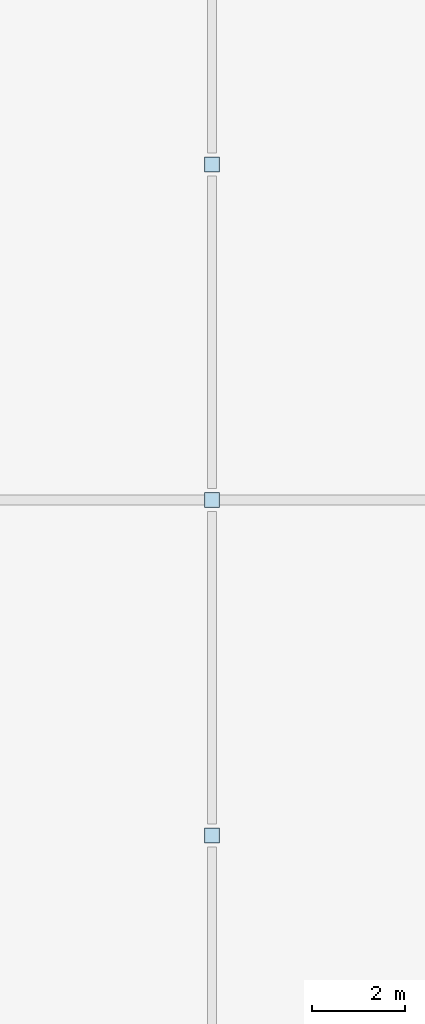
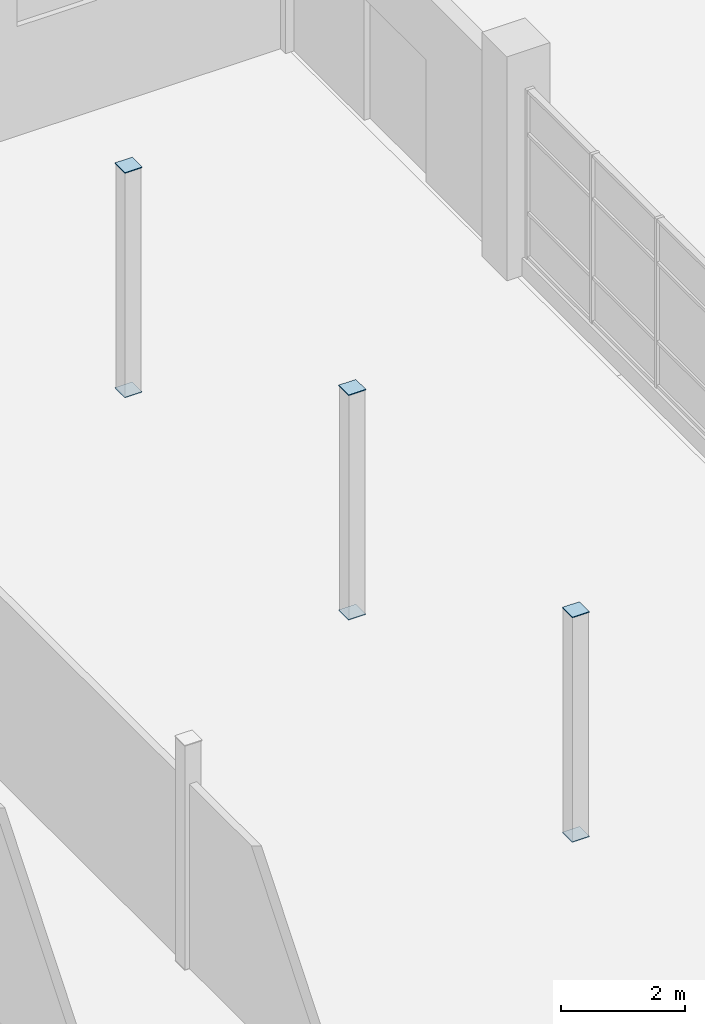
# One storey, part 39 of 71: 6 plates.
"""IFC4 building model written with IfcOpenShell, lengths in metres."""

from ifc_helpers import new_model, si_unit, direction, frame, origin, origin_2d, place, context, subcontext, project, spatial, rectangle, extrude, material, layer, layer_set, type_object, element, save


model = new_model("IFC4")

# Units and contexts
model_context = context("Model", 3, precision=1e-05, world=origin(), true_north=direction((0.0, 1.0)))
body_context = subcontext(model_context, "Body", "Model", "MODEL_VIEW")
ifc_project = project(units=[si_unit("LENGTHUNIT", "METRE"), si_unit("AREAUNIT", "SQUARE_METRE"), si_unit("VOLUMEUNIT", "CUBIC_METRE"), si_unit("PLANEANGLEUNIT", "RADIAN"), si_unit("MASSUNIT", "GRAM", prefix="KILO")], contexts=[model_context])

# Site, building, storey
site_placement = place(None, origin())
site = spatial("IfcSite", under=ifc_project, at=site_placement, CompositionType="ELEMENT")
building_placement = place(site_placement, origin())
building = spatial("IfcBuilding", under=site, at=building_placement, Name="Sardonyx Promenade Sports Hall", CompositionType="ELEMENT")
storey_placement = place(building_placement, frame((0.0, 0.0, 16.0)))
storey = spatial("IfcBuildingStorey", under=building, at=storey_placement, Name="L03", CompositionType="ELEMENT", Elevation=16.0)

# Plates
ifc_material = material(Name="Steel S355JR", Category="steel")
ifc_layer = layer(ifc_material, 0.01611328125)
ifc_layer_set = layer_set([ifc_layer], Name="Plt_EndCap_EC2")
plate_type = type_object("IfcPlateType", Name="Plt_EndCap_EC2", PredefinedType="USERDEFINED", material=ifc_layer_set)
for number, where, z_axis, x_axis, name in (
    (1, (100.800048828125, 7.199951171875, -0.01611328125), (0.0, 0.0, 1.0), (1.0, 0.0, 0.0), "Column end-cap plate EC2 L03 #55"),
    (2, (100.800048828125, 7.199951171875, 4.39990234375), (0.0, 0.0, 1.0), (1.0, 0.0, 0.0), "Column end-cap plate EC2 L03 #56"),
    (3, (100.800048828125, 14.39990234375, -0.01611328125), (0.0, 0.0, 1.0), (1.0, 0.0, 0.0), "Column end-cap plate EC2 L03 #57"),
    (4, (100.800048828125, 14.39990234375, 4.39990234375), (0.0, 0.0, 1.0), (1.0, 0.0, 0.0), "Column end-cap plate EC2 L03 #58"),
    (5, (100.800048828125, 21.60009765625, -0.01611328125), (0.0, 0.0, 1.0), (1.0, 0.0, 0.0), "Column end-cap plate EC2 L03 #59"),
    (6, (100.800048828125, 21.60009765625, 4.39990234375), (0.0, 0.0, 1.0), (1.0, 0.0, 0.0), "Column end-cap plate EC2 L03 #60"),
):
    element("IfcPlate", number, at=place(storey_placement, frame(where, z_axis=z_axis, x_axis=x_axis)), inside=storey, type_object=plate_type, Name=name, ObjectType="END CAP PLATE", PredefinedType="USERDEFINED", context=body_context, shape_type="SweptSolid", body=[
        extrude(rectangle(XDim=0.320068359375, YDim=0.320068359375, at=origin_2d()), origin(), (0.0, 0.0, 1.0), 0.01611328125),
    ])

save(model, "model.ifc")
